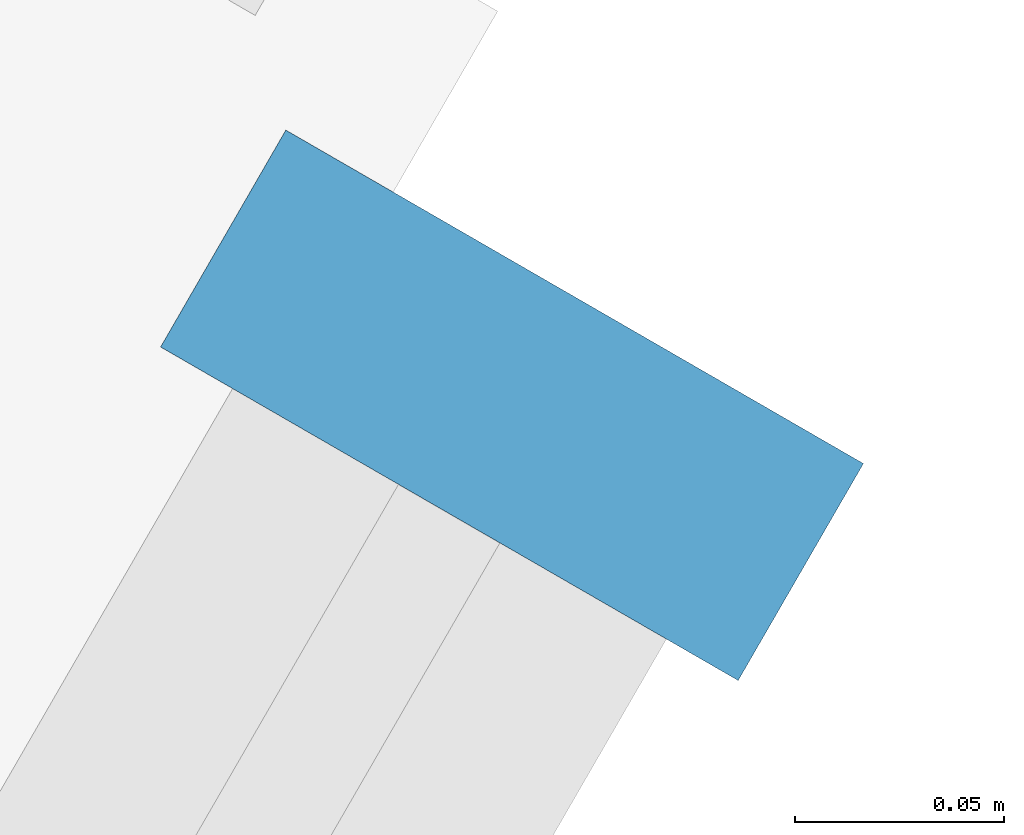
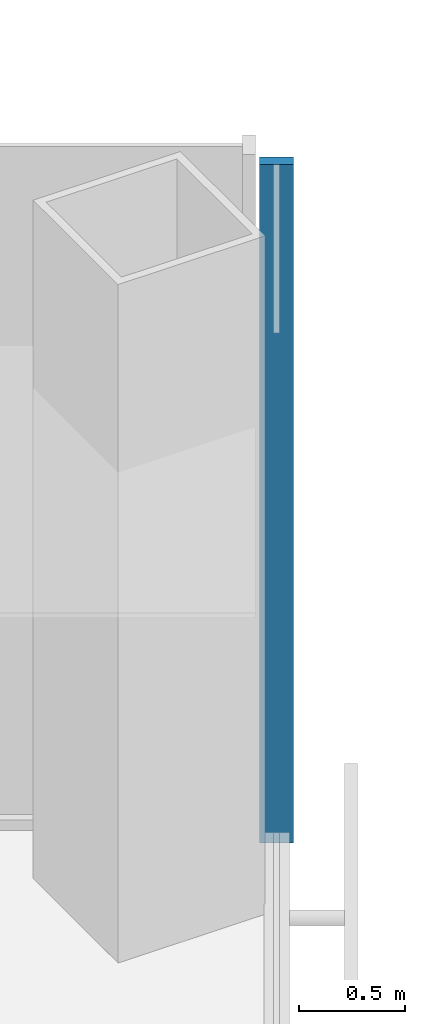
# One storey, part 9 of 19: 1 member, 1 element without a shape of its own.
"""IFC4 building model written with IfcOpenShell, lengths in metres."""

from ifc_helpers import new_model, si_unit, direction, frame, origin, origin_2d, place, context, subcontext, project, spatial, rectangle, extrude, material, material_profile, profile_set, type_object, element, aggregate, save


model = new_model("IFC4")

# Units and contexts
model_context = context("Model", 3, precision=1e-05, world=origin(), true_north=direction((0.0, 1.0)))
body_context = subcontext(model_context, "Body", "Model", "MODEL_VIEW")
ifc_project = project(units=[si_unit("LENGTHUNIT", "METRE"), si_unit("AREAUNIT", "SQUARE_METRE"), si_unit("VOLUMEUNIT", "CUBIC_METRE"), si_unit("PLANEANGLEUNIT", "RADIAN"), si_unit("MASSUNIT", "GRAM", prefix="KILO")], contexts=[model_context])

# Site, building, storey
site_placement = place(None, origin())
site = spatial("IfcSite", under=ifc_project, at=site_placement, CompositionType="ELEMENT")
building_placement = place(site_placement, origin())
building = spatial("IfcBuilding", under=site, at=building_placement, Name="Kasaneha Research Tower", CompositionType="ELEMENT")
storey_placement = place(building_placement, frame((0.0, 0.0, 92.39990234375)))
storey = spatial("IfcBuildingStorey", under=building, at=storey_placement, Name="L23", CompositionType="ELEMENT", Elevation=92.39990234375)

# Curtain wall, member
ifc_material_1 = material(Name="Glass and aluminium", Category="aluminium")
curtain_wall_type = type_object("IfcCurtainWallType", Name="Low-rise office curtain wall", PredefinedType="USERDEFINED", material=ifc_material_1)
curtain_wall_placement = place(storey_placement, origin())
curtain_wall = element("IfcCurtainWall", 1, at=curtain_wall_placement, inside=storey, type_object=curtain_wall_type, Name="CW-O1 L23 run 05a", ObjectType="UNITISED CURTAIN WALL", PredefinedType="USERDEFINED")
ifc_material_2 = material(Name="Aluminium 6063-T6", Category="aluminium")
ifc_material_profile = material_profile(ifc_material_2, rectangle(XDim=0.06005859375, YDim=0.159912109375, at=origin_2d()), Name="CW-O1 mullion 60x160")
ifc_profile_set = profile_set([ifc_material_profile], Name="Aluminium 6063-T6")
member_type = type_object("IfcMemberType", Name="CW-O1 mullion", PredefinedType="MULLION", material=ifc_profile_set)
member_placement = place(storey_placement, frame((32.012939453125, -6.39306640625, 0.0), z_axis=(0.0, 0.0, 1.0), x_axis=(0.500000011442, 0.866025397178, 0.0)))
member = element("IfcMember", 2, at=member_placement, type_object=member_type, Name="CW-O1 mullion 4", PredefinedType="MULLION", context=body_context, shape_type="SweptSolid", body=[
    extrude(rectangle(XDim=0.06005859375, YDim=0.159912109375, at=origin_2d()), origin(), (0.0, 0.0, 1.0), 3.900146484375),
])
aggregate(curtain_wall, [member])

save(model, "model.ifc")
